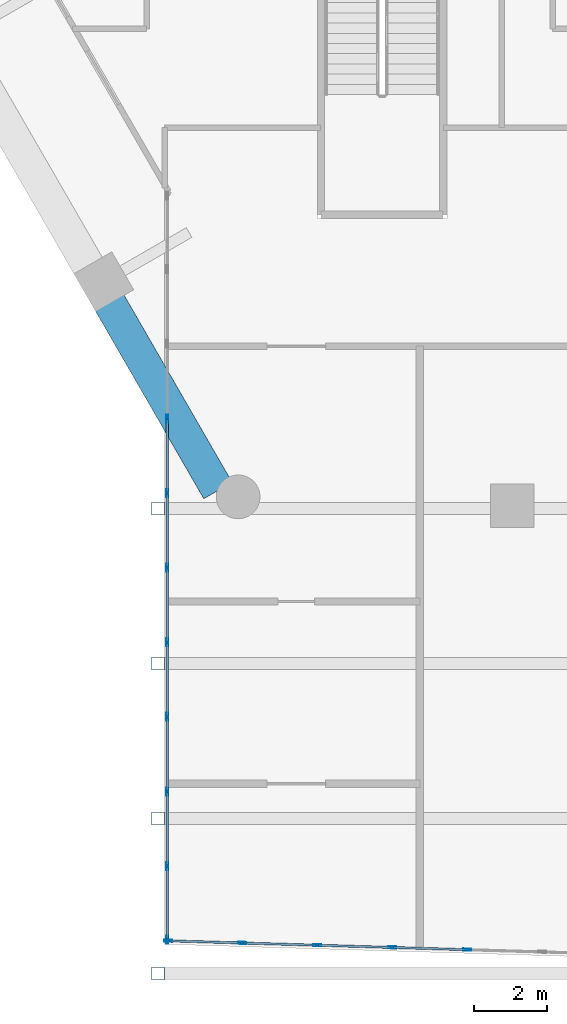
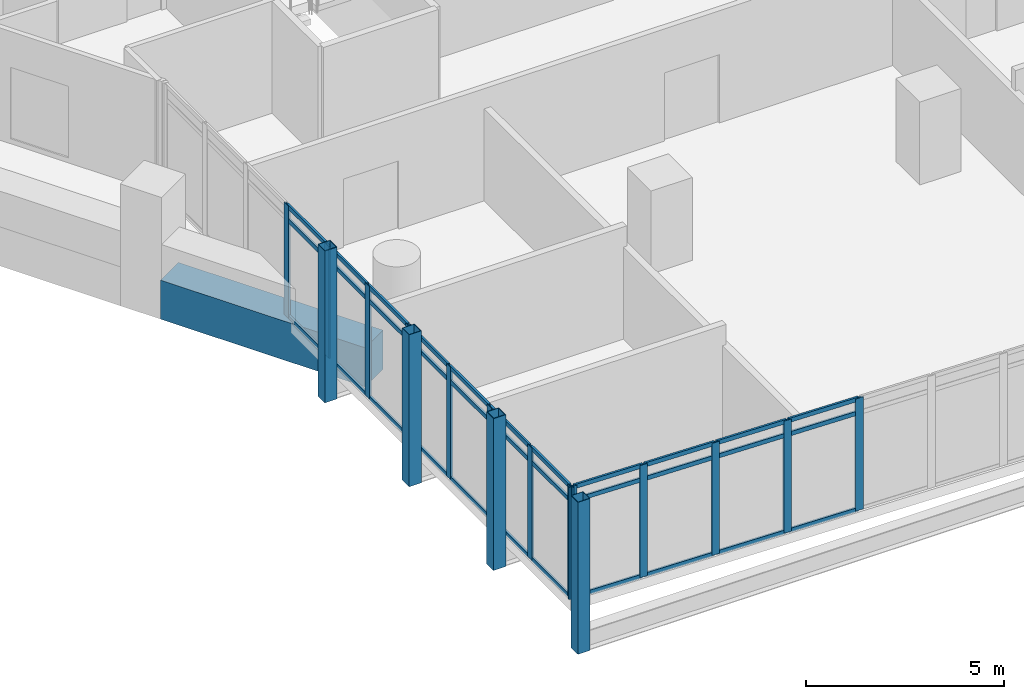
# One storey, part 2 of 28: 50 members, 1 beam, 2 elements without a shape of their own.
"""IFC4 building model written with IfcOpenShell, lengths in metres."""

from ifc_helpers import new_model, si_unit, direction, frame, origin, origin_2d, place, context, subcontext, project, spatial, rectangle, hollow_rectangle, extrude, material, material_profile, profile_set, type_object, element, aggregate, save


model = new_model("IFC4")

# Units and contexts
model_context = context("Model", 3, precision=1e-05, world=origin(), true_north=direction((0.0, 1.0)))
body_context = subcontext(model_context, "Body", "Model", "MODEL_VIEW")
ifc_project = project(units=[si_unit("LENGTHUNIT", "METRE"), si_unit("AREAUNIT", "SQUARE_METRE"), si_unit("VOLUMEUNIT", "CUBIC_METRE"), si_unit("PLANEANGLEUNIT", "RADIAN"), si_unit("MASSUNIT", "GRAM", prefix="KILO")], contexts=[model_context])

# Site, building, storey
site_placement = place(None, origin())
site = spatial("IfcSite", under=ifc_project, at=site_placement, CompositionType="ELEMENT")
building_placement = place(site_placement, origin())
building = spatial("IfcBuilding", under=site, at=building_placement, Name="Ostrander Bayou Hotel Tower", CompositionType="ELEMENT")
storey_placement = place(building_placement, frame((0.0, 0.0, 104.25)))
storey = spatial("IfcBuildingStorey", under=building, at=storey_placement, Name="L26", CompositionType="ELEMENT", Elevation=104.25)

# Curtain wall, members
ifc_material_1 = material(Name="Aluminium and clear glass", Category="aluminium")
curtain_wall_type = type_object("IfcCurtainWallType", Name="CW-BAR glazed wall", PredefinedType="NOTDEFINED", material=ifc_material_1)
curtain_wall_1_placement = place(storey_placement, origin())
curtain_wall_1 = element("IfcCurtainWall", 1, at=curtain_wall_1_placement, inside=storey, type_object=curtain_wall_type, Name="CW-BAR L26:SB2S:E", PredefinedType="NOTDEFINED")
ifc_material_2 = material(Name="Aluminium", Category="aluminium")
ifc_material_profile_1 = material_profile(ifc_material_2, hollow_rectangle(XDim=0.06005859375, YDim=0.219970703125, WallThickness=0.00390625, at=origin_2d()))
ifc_profile_set_1 = profile_set([ifc_material_profile_1], Name="Aluminium")
member_type_1 = type_object("IfcMemberType", Name="CW-BR mullion 60 x 220 mm", PredefinedType="MULLION", material=ifc_profile_set_1)
member_1_placement = place(storey_placement, frame((-13.3671875, -16.98388671875, 0.0), z_axis=(0.0, 0.0, 1.0), x_axis=(1.0, 0.0, 0.0)))
member_1 = element("IfcMember", 2, at=member_1_placement, type_object=member_type_1, Name="CW-BAR mullion 4", PredefinedType="MULLION", context=body_context, shape_type="SweptSolid", body=[
    extrude(hollow_rectangle(XDim=0.06005859375, YDim=0.219970703125, WallThickness=0.00390625, at=origin_2d()), origin(), (0.0, 0.0, 1.0), 3.449951171875),
])
member_2_placement = place(storey_placement, frame((-13.3671875, -19.029296875, 0.0), z_axis=(0.0, 0.0, 1.0), x_axis=(1.0, 0.0, 0.0)))
member_2 = element("IfcMember", 3, at=member_2_placement, type_object=member_type_1, Name="CW-BAR mullion 5", PredefinedType="MULLION", context=body_context, shape_type="SweptSolid", body=[
    extrude(hollow_rectangle(XDim=0.06005859375, YDim=0.219970703125, WallThickness=0.00390625, at=origin_2d()), origin(), (0.0, 0.0, 1.0), 3.449951171875),
])
member_3_placement = place(storey_placement, frame((-13.3671875, -21.07470703125, 0.0), z_axis=(0.0, 0.0, 1.0), x_axis=(1.0, 0.0, 0.0)))
member_3 = element("IfcMember", 4, at=member_3_placement, type_object=member_type_1, Name="CW-BAR mullion 6", PredefinedType="MULLION", context=body_context, shape_type="SweptSolid", body=[
    extrude(hollow_rectangle(XDim=0.06005859375, YDim=0.219970703125, WallThickness=0.00390625, at=origin_2d()), origin(), (0.0, 0.0, 1.0), 3.449951171875),
])
member_4_placement = place(storey_placement, frame((-13.3671875, -23.120361328125, 0.0), z_axis=(0.0, 0.0, 1.0), x_axis=(1.0, 0.0, 0.0)))
member_4 = element("IfcMember", 5, at=member_4_placement, type_object=member_type_1, Name="CW-BAR mullion 7", PredefinedType="MULLION", context=body_context, shape_type="SweptSolid", body=[
    extrude(hollow_rectangle(XDim=0.06005859375, YDim=0.219970703125, WallThickness=0.00390625, at=origin_2d()), origin(), (0.0, 0.0, 1.0), 3.449951171875),
])
member_5_placement = place(storey_placement, frame((-13.3671875, -25.165771484375, 0.0), z_axis=(0.0, 0.0, 1.0), x_axis=(1.0, 0.0, 0.0)))
member_5 = element("IfcMember", 6, at=member_5_placement, type_object=member_type_1, Name="CW-BAR mullion 8", PredefinedType="MULLION", context=body_context, shape_type="SweptSolid", body=[
    extrude(hollow_rectangle(XDim=0.06005859375, YDim=0.219970703125, WallThickness=0.00390625, at=origin_2d()), origin(), (0.0, 0.0, 1.0), 3.449951171875),
])
member_6_placement = place(storey_placement, frame((-13.3671875, -27.211181640625, 0.0), z_axis=(0.0, 0.0, 1.0), x_axis=(1.0, 0.0, 0.0)))
member_6 = element("IfcMember", 7, at=member_6_placement, type_object=member_type_1, Name="CW-BAR mullion 9", PredefinedType="MULLION", context=body_context, shape_type="SweptSolid", body=[
    extrude(hollow_rectangle(XDim=0.06005859375, YDim=0.219970703125, WallThickness=0.00390625, at=origin_2d()), origin(), (0.0, 0.0, 1.0), 3.449951171875),
])
member_7_placement = place(storey_placement, frame((-13.3671875, -29.256591796875, 0.0), z_axis=(0.0, 0.0, 1.0), x_axis=(1.0, 0.0, 0.0)))
member_7 = element("IfcMember", 8, at=member_7_placement, type_object=member_type_1, Name="CW-BAR mullion 10", PredefinedType="MULLION", context=body_context, shape_type="SweptSolid", body=[
    extrude(hollow_rectangle(XDim=0.06005859375, YDim=0.219970703125, WallThickness=0.00390625, at=origin_2d()), origin(), (0.0, 0.0, 1.0), 3.449951171875),
])
member_8_placement = place(storey_placement, frame((-13.3671875, -31.272216796875, 0.0), z_axis=(0.0, 0.0, 1.0), x_axis=(1.0, 0.0, 0.0)))
member_8 = element("IfcMember", 9, at=member_8_placement, type_object=member_type_1, Name="CW-BAR mullion 11", PredefinedType="MULLION", context=body_context, shape_type="SweptSolid", body=[
    extrude(hollow_rectangle(XDim=0.06005859375, YDim=0.219970703125, WallThickness=0.00390625, at=origin_2d()), origin(), (0.0, 0.0, 1.0), 3.449951171875),
])

curtain_wall_2_placement = place(storey_placement, origin())
curtain_wall_2 = element("IfcCurtainWall", 10, at=curtain_wall_2_placement, inside=storey, type_object=curtain_wall_type, Name="CW-BAR L26:SB2S:T", PredefinedType="NOTDEFINED")
member_9_placement = place(storey_placement, frame((-13.337158203125, -31.302978515625, 0.0), z_axis=(0.0, 0.0, 1.0), x_axis=(0.029746242041, 0.999557482631, 0.0)))
member_9 = element("IfcMember", 11, at=member_9_placement, type_object=member_type_1, Name="CW-BAR mullion 1", PredefinedType="MULLION", context=body_context, shape_type="SweptSolid", body=[
    extrude(hollow_rectangle(XDim=0.06005859375, YDim=0.219970703125, WallThickness=0.00390625, at=origin_2d()), origin(), (0.0, 0.0, 1.0), 3.449951171875),
])
member_10_placement = place(storey_placement, frame((-11.310791015625, -31.36328125, 0.0), z_axis=(0.0, 0.0, 1.0), x_axis=(0.029746242041, 0.999557482631, 0.0)))
member_10 = element("IfcMember", 12, at=member_10_placement, type_object=member_type_1, Name="CW-BAR mullion 2", PredefinedType="MULLION", context=body_context, shape_type="SweptSolid", body=[
    extrude(hollow_rectangle(XDim=0.06005859375, YDim=0.219970703125, WallThickness=0.00390625, at=origin_2d()), origin(), (0.0, 0.0, 1.0), 3.449951171875),
])
member_11_placement = place(storey_placement, frame((-9.254150390625, -31.424560546875, 0.0), z_axis=(0.0, 0.0, 1.0), x_axis=(0.029746242041, 0.999557482631, 0.0)))
member_11 = element("IfcMember", 13, at=member_11_placement, type_object=member_type_1, Name="CW-BAR mullion 3", PredefinedType="MULLION", context=body_context, shape_type="SweptSolid", body=[
    extrude(hollow_rectangle(XDim=0.06005859375, YDim=0.219970703125, WallThickness=0.00390625, at=origin_2d()), origin(), (0.0, 0.0, 1.0), 3.449951171875),
])
member_12_placement = place(storey_placement, frame((-7.19775390625, -31.48583984375, 0.0), z_axis=(0.0, 0.0, 1.0), x_axis=(0.029746242041, 0.999557482631, 0.0)))
member_12 = element("IfcMember", 14, at=member_12_placement, type_object=member_type_1, Name="CW-BAR mullion 4", PredefinedType="MULLION", context=body_context, shape_type="SweptSolid", body=[
    extrude(hollow_rectangle(XDim=0.06005859375, YDim=0.219970703125, WallThickness=0.00390625, at=origin_2d()), origin(), (0.0, 0.0, 1.0), 3.449951171875),
])
member_13_placement = place(storey_placement, frame((-5.14111328125, -31.547119140625, 0.0), z_axis=(0.0, 0.0, 1.0), x_axis=(0.029746242041, 0.999557482631, 0.0)))
member_13 = element("IfcMember", 15, at=member_13_placement, type_object=member_type_1, Name="CW-BAR mullion 5", PredefinedType="MULLION", context=body_context, shape_type="SweptSolid", body=[
    extrude(hollow_rectangle(XDim=0.06005859375, YDim=0.219970703125, WallThickness=0.00390625, at=origin_2d()), origin(), (0.0, 0.0, 1.0), 3.449951171875),
])

# Member
ifc_material_3 = material(Name="Aluminium", Category="aluminium")
ifc_material_profile_2 = material_profile(ifc_material_3, hollow_rectangle(XDim=0.06005859375, YDim=0.1298828125, WallThickness=0.00390625, at=origin_2d()))
ifc_profile_set_2 = profile_set([ifc_material_profile_2], Name="Aluminium")
member_type_2 = type_object("IfcMemberType", Name="CW-BR transom 60 x 130 mm", PredefinedType="USERDEFINED", material=ifc_profile_set_2)
member_14_placement = place(storey_placement, frame((-13.3671875, -17.013671875, 0.030029296875), z_axis=(0.0, -1.0, 0.0), x_axis=(1.0, 0.0, 0.0)))
member_14 = element("IfcMember", 16, at=member_14_placement, type_object=member_type_2, Name="CW-BAR transom 4.1", ObjectType="TRANSOM", PredefinedType="USERDEFINED", context=body_context, shape_type="SweptSolid", body=[
    extrude(hollow_rectangle(XDim=0.06005859375, YDim=0.1298828125, WallThickness=0.00390625, at=origin_2d()), origin(), (0.0, 0.0, 1.0), 1.985595703125),
])

member_15_placement = place(storey_placement, frame((-13.3671875, -17.013671875, 3.0), z_axis=(0.0, -1.0, 0.0), x_axis=(1.0, 0.0, 0.0)))
member_15 = element("IfcMember", 17, at=member_15_placement, type_object=member_type_2, Name="CW-BAR transom 4.2", ObjectType="TRANSOM", PredefinedType="USERDEFINED", context=body_context, shape_type="SweptSolid", body=[
    extrude(hollow_rectangle(XDim=0.06005859375, YDim=0.1298828125, WallThickness=0.00390625, at=origin_2d()), origin(), (0.0, 0.0, 1.0), 1.985595703125),
])

member_16_placement = place(storey_placement, frame((-13.3671875, -17.013671875, 3.419921875), z_axis=(0.0, -1.0, 0.0), x_axis=(1.0, 0.0, 0.0)))
member_16 = element("IfcMember", 18, at=member_16_placement, type_object=member_type_2, Name="CW-BAR transom 4.3", ObjectType="TRANSOM", PredefinedType="USERDEFINED", context=body_context, shape_type="SweptSolid", body=[
    extrude(hollow_rectangle(XDim=0.06005859375, YDim=0.1298828125, WallThickness=0.00390625, at=origin_2d()), origin(), (0.0, 0.0, 1.0), 1.985595703125),
])

member_17_placement = place(storey_placement, frame((-13.3671875, -19.059326171875, 0.030029296875), z_axis=(0.0, -1.0, 0.0), x_axis=(1.0, 0.0, 0.0)))
member_17 = element("IfcMember", 19, at=member_17_placement, type_object=member_type_2, Name="CW-BAR transom 5.1", ObjectType="TRANSOM", PredefinedType="USERDEFINED", context=body_context, shape_type="SweptSolid", body=[
    extrude(hollow_rectangle(XDim=0.06005859375, YDim=0.1298828125, WallThickness=0.00390625, at=origin_2d()), origin(), (0.0, 0.0, 1.0), 1.9853515625),
])

member_18_placement = place(storey_placement, frame((-13.3671875, -19.059326171875, 3.0), z_axis=(0.0, -1.0, 0.0), x_axis=(1.0, 0.0, 0.0)))
member_18 = element("IfcMember", 20, at=member_18_placement, type_object=member_type_2, Name="CW-BAR transom 5.2", ObjectType="TRANSOM", PredefinedType="USERDEFINED", context=body_context, shape_type="SweptSolid", body=[
    extrude(hollow_rectangle(XDim=0.06005859375, YDim=0.1298828125, WallThickness=0.00390625, at=origin_2d()), origin(), (0.0, 0.0, 1.0), 1.9853515625),
])

member_19_placement = place(storey_placement, frame((-13.3671875, -19.059326171875, 3.419921875), z_axis=(0.0, -1.0, 0.0), x_axis=(1.0, 0.0, 0.0)))
member_19 = element("IfcMember", 21, at=member_19_placement, type_object=member_type_2, Name="CW-BAR transom 5.3", ObjectType="TRANSOM", PredefinedType="USERDEFINED", context=body_context, shape_type="SweptSolid", body=[
    extrude(hollow_rectangle(XDim=0.06005859375, YDim=0.1298828125, WallThickness=0.00390625, at=origin_2d()), origin(), (0.0, 0.0, 1.0), 1.9853515625),
])

member_20_placement = place(storey_placement, frame((-13.3671875, -21.104736328125, 0.030029296875), z_axis=(0.0, -1.0, 0.0), x_axis=(1.0, 0.0, 0.0)))
member_20 = element("IfcMember", 22, at=member_20_placement, type_object=member_type_2, Name="CW-BAR transom 6.1", ObjectType="TRANSOM", PredefinedType="USERDEFINED", context=body_context, shape_type="SweptSolid", body=[
    extrude(hollow_rectangle(XDim=0.06005859375, YDim=0.1298828125, WallThickness=0.00390625, at=origin_2d()), origin(), (0.0, 0.0, 1.0), 1.985595703125),
])

member_21_placement = place(storey_placement, frame((-13.3671875, -21.104736328125, 3.0), z_axis=(0.0, -1.0, 0.0), x_axis=(1.0, 0.0, 0.0)))
member_21 = element("IfcMember", 23, at=member_21_placement, type_object=member_type_2, Name="CW-BAR transom 6.2", ObjectType="TRANSOM", PredefinedType="USERDEFINED", context=body_context, shape_type="SweptSolid", body=[
    extrude(hollow_rectangle(XDim=0.06005859375, YDim=0.1298828125, WallThickness=0.00390625, at=origin_2d()), origin(), (0.0, 0.0, 1.0), 1.985595703125),
])

member_22_placement = place(storey_placement, frame((-13.3671875, -21.104736328125, 3.419921875), z_axis=(0.0, -1.0, 0.0), x_axis=(1.0, 0.0, 0.0)))
member_22 = element("IfcMember", 24, at=member_22_placement, type_object=member_type_2, Name="CW-BAR transom 6.3", ObjectType="TRANSOM", PredefinedType="USERDEFINED", context=body_context, shape_type="SweptSolid", body=[
    extrude(hollow_rectangle(XDim=0.06005859375, YDim=0.1298828125, WallThickness=0.00390625, at=origin_2d()), origin(), (0.0, 0.0, 1.0), 1.985595703125),
])

member_23_placement = place(storey_placement, frame((-13.3671875, -23.150146484375, 0.030029296875), z_axis=(0.0, -1.0, 0.0), x_axis=(1.0, 0.0, 0.0)))
member_23 = element("IfcMember", 25, at=member_23_placement, type_object=member_type_2, Name="CW-BAR transom 7.1", ObjectType="TRANSOM", PredefinedType="USERDEFINED", context=body_context, shape_type="SweptSolid", body=[
    extrude(hollow_rectangle(XDim=0.06005859375, YDim=0.1298828125, WallThickness=0.00390625, at=origin_2d()), origin(), (0.0, 0.0, 1.0), 1.985595703125),
])

member_24_placement = place(storey_placement, frame((-13.3671875, -23.150146484375, 3.0), z_axis=(0.0, -1.0, 0.0), x_axis=(1.0, 0.0, 0.0)))
member_24 = element("IfcMember", 26, at=member_24_placement, type_object=member_type_2, Name="CW-BAR transom 7.2", ObjectType="TRANSOM", PredefinedType="USERDEFINED", context=body_context, shape_type="SweptSolid", body=[
    extrude(hollow_rectangle(XDim=0.06005859375, YDim=0.1298828125, WallThickness=0.00390625, at=origin_2d()), origin(), (0.0, 0.0, 1.0), 1.985595703125),
])

member_25_placement = place(storey_placement, frame((-13.3671875, -23.150146484375, 3.419921875), z_axis=(0.0, -1.0, 0.0), x_axis=(1.0, 0.0, 0.0)))
member_25 = element("IfcMember", 27, at=member_25_placement, type_object=member_type_2, Name="CW-BAR transom 7.3", ObjectType="TRANSOM", PredefinedType="USERDEFINED", context=body_context, shape_type="SweptSolid", body=[
    extrude(hollow_rectangle(XDim=0.06005859375, YDim=0.1298828125, WallThickness=0.00390625, at=origin_2d()), origin(), (0.0, 0.0, 1.0), 1.985595703125),
])

member_26_placement = place(storey_placement, frame((-13.3671875, -25.19580078125, 0.030029296875), z_axis=(0.0, -1.0, 0.0), x_axis=(1.0, 0.0, 0.0)))
member_26 = element("IfcMember", 28, at=member_26_placement, type_object=member_type_2, Name="CW-BAR transom 8.1", ObjectType="TRANSOM", PredefinedType="USERDEFINED", context=body_context, shape_type="SweptSolid", body=[
    extrude(hollow_rectangle(XDim=0.06005859375, YDim=0.1298828125, WallThickness=0.00390625, at=origin_2d()), origin(), (0.0, 0.0, 1.0), 1.9853515625),
])

member_27_placement = place(storey_placement, frame((-13.3671875, -25.19580078125, 3.0), z_axis=(0.0, -1.0, 0.0), x_axis=(1.0, 0.0, 0.0)))
member_27 = element("IfcMember", 29, at=member_27_placement, type_object=member_type_2, Name="CW-BAR transom 8.2", ObjectType="TRANSOM", PredefinedType="USERDEFINED", context=body_context, shape_type="SweptSolid", body=[
    extrude(hollow_rectangle(XDim=0.06005859375, YDim=0.1298828125, WallThickness=0.00390625, at=origin_2d()), origin(), (0.0, 0.0, 1.0), 1.9853515625),
])

member_28_placement = place(storey_placement, frame((-13.3671875, -25.19580078125, 3.419921875), z_axis=(0.0, -1.0, 0.0), x_axis=(1.0, 0.0, 0.0)))
member_28 = element("IfcMember", 30, at=member_28_placement, type_object=member_type_2, Name="CW-BAR transom 8.3", ObjectType="TRANSOM", PredefinedType="USERDEFINED", context=body_context, shape_type="SweptSolid", body=[
    extrude(hollow_rectangle(XDim=0.06005859375, YDim=0.1298828125, WallThickness=0.00390625, at=origin_2d()), origin(), (0.0, 0.0, 1.0), 1.9853515625),
])

member_29_placement = place(storey_placement, frame((-13.3671875, -27.2412109375, 0.030029296875), z_axis=(0.0, -1.0, 0.0), x_axis=(1.0, 0.0, 0.0)))
member_29 = element("IfcMember", 31, at=member_29_placement, type_object=member_type_2, Name="CW-BAR transom 9.1", ObjectType="TRANSOM", PredefinedType="USERDEFINED", context=body_context, shape_type="SweptSolid", body=[
    extrude(hollow_rectangle(XDim=0.06005859375, YDim=0.1298828125, WallThickness=0.00390625, at=origin_2d()), origin(), (0.0, 0.0, 1.0), 1.985595703125),
])

member_30_placement = place(storey_placement, frame((-13.3671875, -27.2412109375, 3.0), z_axis=(0.0, -1.0, 0.0), x_axis=(1.0, 0.0, 0.0)))
member_30 = element("IfcMember", 32, at=member_30_placement, type_object=member_type_2, Name="CW-BAR transom 9.2", ObjectType="TRANSOM", PredefinedType="USERDEFINED", context=body_context, shape_type="SweptSolid", body=[
    extrude(hollow_rectangle(XDim=0.06005859375, YDim=0.1298828125, WallThickness=0.00390625, at=origin_2d()), origin(), (0.0, 0.0, 1.0), 1.985595703125),
])

member_31_placement = place(storey_placement, frame((-13.3671875, -27.2412109375, 3.419921875), z_axis=(0.0, -1.0, 0.0), x_axis=(1.0, 0.0, 0.0)))
member_31 = element("IfcMember", 33, at=member_31_placement, type_object=member_type_2, Name="CW-BAR transom 9.3", ObjectType="TRANSOM", PredefinedType="USERDEFINED", context=body_context, shape_type="SweptSolid", body=[
    extrude(hollow_rectangle(XDim=0.06005859375, YDim=0.1298828125, WallThickness=0.00390625, at=origin_2d()), origin(), (0.0, 0.0, 1.0), 1.985595703125),
])

member_32_placement = place(storey_placement, frame((-13.3671875, -29.28662109375, 0.030029296875), z_axis=(0.0, -1.0, 0.0), x_axis=(1.0, 0.0, 0.0)))
member_32 = element("IfcMember", 34, at=member_32_placement, type_object=member_type_2, Name="CW-BAR transom 10.1", ObjectType="TRANSOM", PredefinedType="USERDEFINED", context=body_context, shape_type="SweptSolid", body=[
    extrude(hollow_rectangle(XDim=0.06005859375, YDim=0.1298828125, WallThickness=0.00390625, at=origin_2d()), origin(), (0.0, 0.0, 1.0), 1.95556640625),
])

member_33_placement = place(storey_placement, frame((-13.3671875, -29.28662109375, 3.0), z_axis=(0.0, -1.0, 0.0), x_axis=(1.0, 0.0, 0.0)))
member_33 = element("IfcMember", 35, at=member_33_placement, type_object=member_type_2, Name="CW-BAR transom 10.2", ObjectType="TRANSOM", PredefinedType="USERDEFINED", context=body_context, shape_type="SweptSolid", body=[
    extrude(hollow_rectangle(XDim=0.06005859375, YDim=0.1298828125, WallThickness=0.00390625, at=origin_2d()), origin(), (0.0, 0.0, 1.0), 1.95556640625),
])

member_34_placement = place(storey_placement, frame((-13.3671875, -29.28662109375, 3.419921875), z_axis=(0.0, -1.0, 0.0), x_axis=(1.0, 0.0, 0.0)))
member_34 = element("IfcMember", 36, at=member_34_placement, type_object=member_type_2, Name="CW-BAR transom 10.3", ObjectType="TRANSOM", PredefinedType="USERDEFINED", context=body_context, shape_type="SweptSolid", body=[
    extrude(hollow_rectangle(XDim=0.06005859375, YDim=0.1298828125, WallThickness=0.00390625, at=origin_2d()), origin(), (0.0, 0.0, 1.0), 1.95556640625),
])

aggregate(curtain_wall_1, [member_1, member_2, member_3, member_4, member_5, member_6, member_7, member_8, member_14, member_15, member_16, member_17, member_18, member_19, member_20, member_21, member_22, member_23, member_24, member_25, member_26, member_27, member_28, member_29, member_30, member_31, member_32, member_33, member_34])

member_35_placement = place(storey_placement, frame((-13.30712890625, -31.303955078125, 0.030029296875), z_axis=(0.999556419591, -0.029781941738, 0.0), x_axis=(0.029781941738, 0.999556419591, 0.0)))
member_35 = element("IfcMember", 37, at=member_35_placement, type_object=member_type_2, Name="CW-BAR transom 1.1", ObjectType="TRANSOM", PredefinedType="USERDEFINED", context=body_context, shape_type="SweptSolid", body=[
    extrude(hollow_rectangle(XDim=0.06005859375, YDim=0.1298828125, WallThickness=0.00390625, at=origin_2d()), origin(), (0.0, 0.0, 1.0), 1.967529296875),
])

member_36_placement = place(storey_placement, frame((-13.30712890625, -31.303955078125, 3.0), z_axis=(0.999556419591, -0.029781941738, 0.0), x_axis=(0.029781941738, 0.999556419591, 0.0)))
member_36 = element("IfcMember", 38, at=member_36_placement, type_object=member_type_2, Name="CW-BAR transom 1.2", ObjectType="TRANSOM", PredefinedType="USERDEFINED", context=body_context, shape_type="SweptSolid", body=[
    extrude(hollow_rectangle(XDim=0.06005859375, YDim=0.1298828125, WallThickness=0.00390625, at=origin_2d()), origin(), (0.0, 0.0, 1.0), 1.967529296875),
])

member_37_placement = place(storey_placement, frame((-13.30712890625, -31.303955078125, 3.419921875), z_axis=(0.999556419591, -0.029781941738, 0.0), x_axis=(0.029781941738, 0.999556419591, 0.0)))
member_37 = element("IfcMember", 39, at=member_37_placement, type_object=member_type_2, Name="CW-BAR transom 1.3", ObjectType="TRANSOM", PredefinedType="USERDEFINED", context=body_context, shape_type="SweptSolid", body=[
    extrude(hollow_rectangle(XDim=0.06005859375, YDim=0.1298828125, WallThickness=0.00390625, at=origin_2d()), origin(), (0.0, 0.0, 1.0), 1.967529296875),
])

member_38_placement = place(storey_placement, frame((-11.28076171875, -31.3642578125, 0.030029296875), z_axis=(0.999555199151, -0.029822874614, 0.0), x_axis=(0.029822874614, 0.999555199151, 0.0)))
member_38 = element("IfcMember", 40, at=member_38_placement, type_object=member_type_2, Name="CW-BAR transom 2.1", ObjectType="TRANSOM", PredefinedType="USERDEFINED", context=body_context, shape_type="SweptSolid", body=[
    extrude(hollow_rectangle(XDim=0.06005859375, YDim=0.1298828125, WallThickness=0.00390625, at=origin_2d()), origin(), (0.0, 0.0, 1.0), 1.99755859375),
])

member_39_placement = place(storey_placement, frame((-11.28076171875, -31.3642578125, 3.0), z_axis=(0.999555199151, -0.029822874614, 0.0), x_axis=(0.029822874614, 0.999555199151, 0.0)))
member_39 = element("IfcMember", 41, at=member_39_placement, type_object=member_type_2, Name="CW-BAR transom 2.2", ObjectType="TRANSOM", PredefinedType="USERDEFINED", context=body_context, shape_type="SweptSolid", body=[
    extrude(hollow_rectangle(XDim=0.06005859375, YDim=0.1298828125, WallThickness=0.00390625, at=origin_2d()), origin(), (0.0, 0.0, 1.0), 1.99755859375),
])

member_40_placement = place(storey_placement, frame((-11.28076171875, -31.3642578125, 3.419921875), z_axis=(0.999555199151, -0.029822874614, 0.0), x_axis=(0.029822874614, 0.999555199151, 0.0)))
member_40 = element("IfcMember", 42, at=member_40_placement, type_object=member_type_2, Name="CW-BAR transom 2.3", ObjectType="TRANSOM", PredefinedType="USERDEFINED", context=body_context, shape_type="SweptSolid", body=[
    extrude(hollow_rectangle(XDim=0.06005859375, YDim=0.1298828125, WallThickness=0.00390625, at=origin_2d()), origin(), (0.0, 0.0, 1.0), 1.99755859375),
])

member_41_placement = place(storey_placement, frame((-9.22412109375, -31.425537109375, 0.030029296875), z_axis=(0.999558727342, -0.029704386785, 0.0), x_axis=(0.029704386785, 0.999558727342, 0.0)))
member_41 = element("IfcMember", 43, at=member_41_placement, type_object=member_type_2, Name="CW-BAR transom 3.1", ObjectType="TRANSOM", PredefinedType="USERDEFINED", context=body_context, shape_type="SweptSolid", body=[
    extrude(hollow_rectangle(XDim=0.06005859375, YDim=0.1298828125, WallThickness=0.00390625, at=origin_2d()), origin(), (0.0, 0.0, 1.0), 1.997314453125),
])

member_42_placement = place(storey_placement, frame((-9.22412109375, -31.425537109375, 3.0), z_axis=(0.999558727342, -0.029704386785, 0.0), x_axis=(0.029704386785, 0.999558727342, 0.0)))
member_42 = element("IfcMember", 44, at=member_42_placement, type_object=member_type_2, Name="CW-BAR transom 3.2", ObjectType="TRANSOM", PredefinedType="USERDEFINED", context=body_context, shape_type="SweptSolid", body=[
    extrude(hollow_rectangle(XDim=0.06005859375, YDim=0.1298828125, WallThickness=0.00390625, at=origin_2d()), origin(), (0.0, 0.0, 1.0), 1.997314453125),
])

member_43_placement = place(storey_placement, frame((-9.22412109375, -31.425537109375, 3.419921875), z_axis=(0.999558727342, -0.029704386785, 0.0), x_axis=(0.029704386785, 0.999558727342, 0.0)))
member_43 = element("IfcMember", 45, at=member_43_placement, type_object=member_type_2, Name="CW-BAR transom 3.3", ObjectType="TRANSOM", PredefinedType="USERDEFINED", context=body_context, shape_type="SweptSolid", body=[
    extrude(hollow_rectangle(XDim=0.06005859375, YDim=0.1298828125, WallThickness=0.00390625, at=origin_2d()), origin(), (0.0, 0.0, 1.0), 1.997314453125),
])

member_44_placement = place(storey_placement, frame((-7.167724609375, -31.486572265625, 0.030029296875), z_axis=(0.999555199151, -0.029822874614, 0.0), x_axis=(0.029822874614, 0.999555199151, 0.0)))
member_44 = element("IfcMember", 46, at=member_44_placement, type_object=member_type_2, Name="CW-BAR transom 4.1", ObjectType="TRANSOM", PredefinedType="USERDEFINED", context=body_context, shape_type="SweptSolid", body=[
    extrude(hollow_rectangle(XDim=0.06005859375, YDim=0.1298828125, WallThickness=0.00390625, at=origin_2d()), origin(), (0.0, 0.0, 1.0), 1.99755859375),
])

member_45_placement = place(storey_placement, frame((-7.167724609375, -31.486572265625, 3.0), z_axis=(0.999555199151, -0.029822874614, 0.0), x_axis=(0.029822874614, 0.999555199151, 0.0)))
member_45 = element("IfcMember", 47, at=member_45_placement, type_object=member_type_2, Name="CW-BAR transom 4.2", ObjectType="TRANSOM", PredefinedType="USERDEFINED", context=body_context, shape_type="SweptSolid", body=[
    extrude(hollow_rectangle(XDim=0.06005859375, YDim=0.1298828125, WallThickness=0.00390625, at=origin_2d()), origin(), (0.0, 0.0, 1.0), 1.99755859375),
])

member_46_placement = place(storey_placement, frame((-7.167724609375, -31.486572265625, 3.419921875), z_axis=(0.999555199151, -0.029822874614, 0.0), x_axis=(0.029822874614, 0.999555199151, 0.0)))
member_46 = element("IfcMember", 48, at=member_46_placement, type_object=member_type_2, Name="CW-BAR transom 4.3", ObjectType="TRANSOM", PredefinedType="USERDEFINED", context=body_context, shape_type="SweptSolid", body=[
    extrude(hollow_rectangle(XDim=0.06005859375, YDim=0.1298828125, WallThickness=0.00390625, at=origin_2d()), origin(), (0.0, 0.0, 1.0), 1.99755859375),
])

aggregate(curtain_wall_2, [member_9, member_10, member_11, member_12, member_13, member_35, member_36, member_37, member_38, member_39, member_40, member_41, member_42, member_43, member_44, member_45, member_46])

# Beam
ifc_material_4 = material(Name="Concrete f'c 70 MPa", Category="concrete")
ifc_material_profile_3 = material_profile(ifc_material_4, rectangle(XDim=0.89990234375, YDim=1.199951171875, at=origin_2d()))
ifc_profile_set_3 = profile_set([ifc_material_profile_3], Name="Concrete f'c 70 MPa")
beam_type = type_object("IfcBeamType", Name="SP2 spandrel beam 900 x 1200 mm f'c 70 MPa", PredefinedType="SPANDREL", material=ifc_profile_set_3)
beam_placement = place(storey_placement, frame((-14.9521484375, -13.802001953125, -0.60009765625), z_axis=(0.499988630717, -0.866031967744, 0.0), x_axis=(0.866031967744, 0.499988630717, 0.0)))
element("IfcBeam", 49, at=beam_placement, inside=storey, type_object=beam_type, Name="SP2 L26 SW-3", PredefinedType="SPANDREL", context=body_context, shape_type="SweptSolid", body=[
    extrude(rectangle(XDim=0.89990234375, YDim=1.199951171875, at=origin_2d()), origin(), (0.0, 0.0, 1.0), 5.954833984375),
])

# Members
ifc_material_5 = material(Name="Steel ASTM A500 Gr C", Category="steel")
ifc_material_profile_4 = material_profile(ifc_material_5, hollow_rectangle(XDim=0.355712890625, YDim=0.355712890625, WallThickness=0.0146484375, at=origin_2d()))
ifc_profile_set_4 = profile_set([ifc_material_profile_4], Name="Steel ASTM A500 Gr C")
member_type_3 = type_object("IfcMemberType", Name="TH1 bar hanger HSS14x14x5/8", PredefinedType="POST", material=ifc_profile_set_4)
for number, where, z_axis, x_axis, name in (
    (50, (-13.6201171875, -19.450927734375, -0.921875), (0.0, 0.0, 1.0), (1.0, 0.0, 0.0), "TH1 SB2SA H1-4"),
    (51, (-13.6201171875, -23.70068359375, -0.921875), (0.0, 0.0, 1.0), (1.0, 0.0, 0.0), "TH1 SB2SA H2-4"),
    (52, (-13.6201171875, -27.9501953125, -0.921875), (0.0, 0.0, 1.0), (1.0, 0.0, 0.0), "TH1 SB2SA H3-4"),
    (53, (-13.6201171875, -32.199951171875, -0.921875), (0.0, 0.0, 1.0), (1.0, 0.0, 0.0), "TH1 SB2SA H4-4"),
):
    element("IfcMember", number, at=place(storey_placement, frame(where, z_axis=z_axis, x_axis=x_axis)), inside=storey, type_object=member_type_3, Name=name, PredefinedType="POST", context=body_context, shape_type="SweptSolid", body=[
        extrude(hollow_rectangle(XDim=0.355712890625, YDim=0.355712890625, WallThickness=0.0146484375, at=origin_2d()), origin(), (0.0, 0.0, 1.0), 4.671875),
    ])

save(model, "model.ifc")
